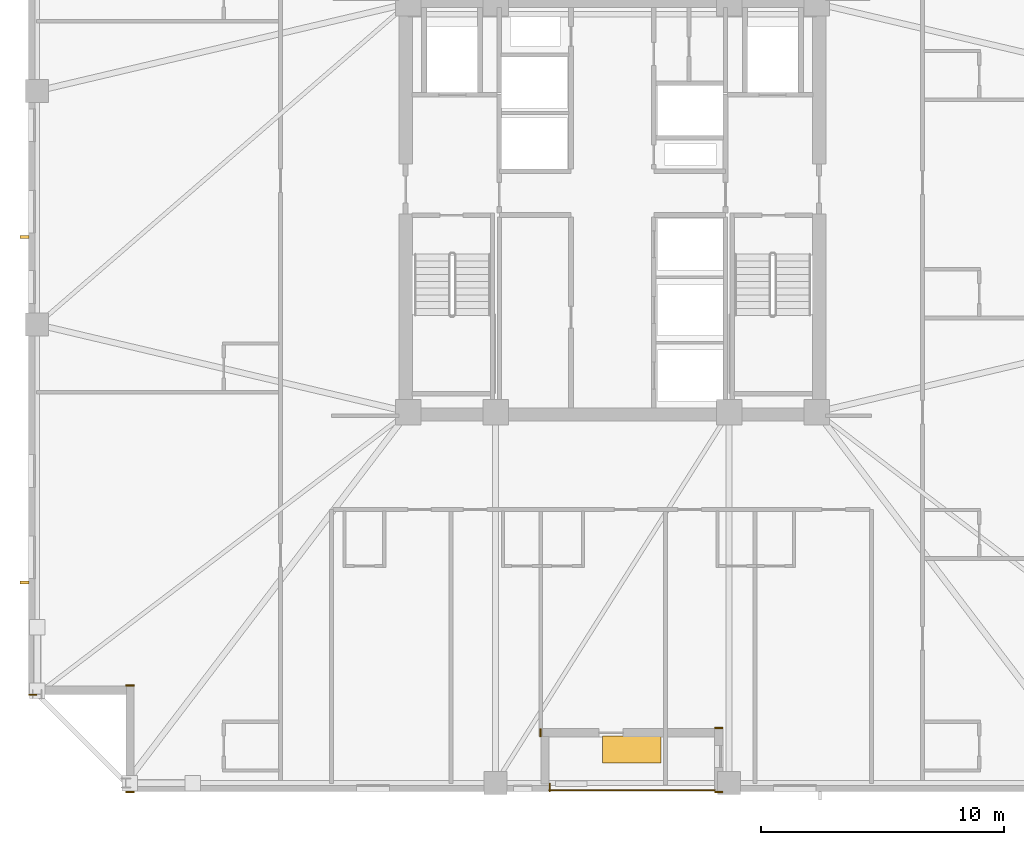
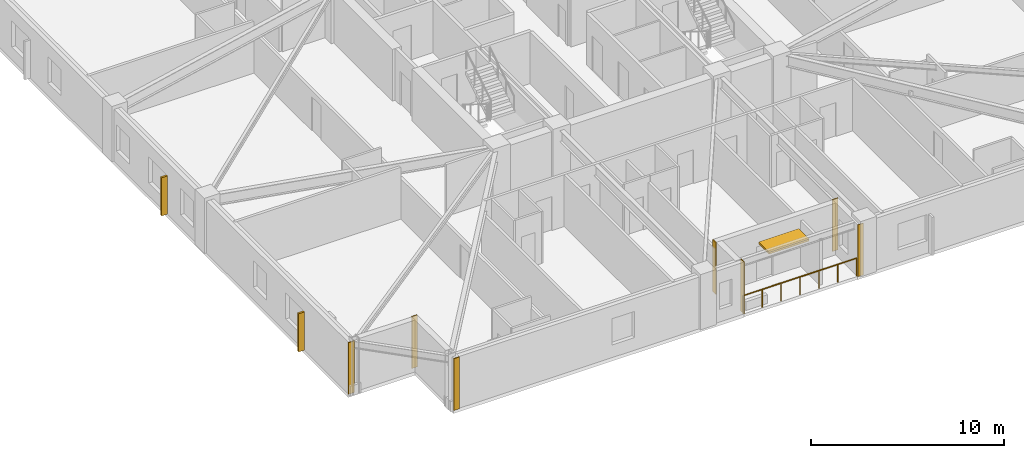
# One storey, part 7 of 11: 7 coverings, 3 shading devices, 1 railing.
"""IFC4 building model written with IfcOpenShell, lengths in metres."""

from ifc_helpers import new_model, si_unit, direction, frame, frame_2d, origin, origin_2d, place, context, subcontext, project, spatial, rectangle, circle, extrude, material, layer, layer_set, type_object, element, save


model = new_model("IFC4")

# Units and contexts
model_context = context("Model", 3, precision=1e-05, world=origin(), true_north=direction((0.0, 1.0)))
body_context = subcontext(model_context, "Body", "Model", "MODEL_VIEW")
ifc_project = project(units=[si_unit("LENGTHUNIT", "METRE"), si_unit("AREAUNIT", "SQUARE_METRE"), si_unit("VOLUMEUNIT", "CUBIC_METRE"), si_unit("PLANEANGLEUNIT", "RADIAN"), si_unit("MASSUNIT", "GRAM", prefix="KILO")], contexts=[model_context])

# Site, building, storey
site_placement = place(None, origin())
site = spatial("IfcSite", under=ifc_project, at=site_placement, CompositionType="ELEMENT")
building_placement = place(site_placement, origin())
building = spatial("IfcBuilding", under=site, at=building_placement, Name="Cairnveth Concourse Tower", CompositionType="ELEMENT")
storey_placement = place(building_placement, frame((0.0, 0.0, 158.5)))
storey = spatial("IfcBuildingStorey", under=building, at=storey_placement, Name="L43", CompositionType="ELEMENT", Elevation=158.5)

# Coverings
ifc_material_1 = material(Name="Dressed Melbourne Bluestone Cladding", Category="masonry")
ifc_layer = layer(ifc_material_1, 0.050048828125)
ifc_layer_set = layer_set([ifc_layer], Name="Dressed Melbourne Bluestone Cladding")
covering_type = type_object("IfcCoveringType", Name="DRESSED BLUESTONE PLINTH CLADDING 50", PredefinedType="CLADDING", material=ifc_layer_set)
for number, where, z_axis, x_axis, name in (
    (1, (49.419921875, 15.340087890625, 0.0), (0.0, 0.0, 1.0), (0.0, -1.0, 0.0), "Melbourne Bluestone Corner Quoin L43-627"),
    (2, (32.340087890625, 14.97998046875, 0.0), (0.0, 0.0, 1.0), (-1.0, 0.0, 0.0), "Melbourne Bluestone Corner Quoin L43-628"),
    (3, (32.340087890625, 19.360107421875, 0.0), (0.0, 0.0, 1.0), (-1.0, 0.0, 0.0), "Melbourne Bluestone Corner Quoin L43-629"),
    (4, (28.340087890625, 18.97998046875, 0.0), (0.0, 0.0, 1.0), (-1.0, 0.0, 0.0), "Melbourne Bluestone Corner Quoin L43-630"),
    (5, (56.5400390625, 14.97998046875, 0.0), (0.0, 0.0, 1.0), (-1.0, 0.0, 0.0), "Melbourne Bluestone Corner Quoin L43-640"),
    (6, (56.5400390625, 17.610107421875, 0.0), (0.0, 0.0, 1.0), (-1.0, 0.0, 0.0), "Melbourne Bluestone Corner Quoin L43-641"),
    (7, (49.0400390625, 17.590087890625, 0.0), (0.0, 0.0, 1.0), (0.0, -1.0, 0.0), "Melbourne Bluestone Corner Quoin L43-642"),
):
    element("IfcCovering", number, at=place(storey_placement, frame(where, z_axis=z_axis, x_axis=x_axis)), inside=storey, type_object=covering_type, Name=name, PredefinedType="CLADDING", context=body_context, shape_type="SweptSolid", body=[
        extrude(rectangle(XDim=0.340087890625, YDim=0.050048828125, at=frame_2d((0.169921875, 0.0))), origin(), (0.0, 0.0, 1.0), 3.280029296875),
    ])

# Shading devices
ifc_material_2 = material(Name="Architectural Bronze Anodised Aluminium 6063-T6", Category="aluminium")
shading_device_type_1 = type_object("IfcShadingDeviceType", Name="GOTHIC BRONZE VERTICAL LANCET FIN", PredefinedType="USERDEFINED", material=ifc_material_2)
for number, where, z_axis, x_axis, name in (
    (8, (27.824951171875, 23.591796875, 0.030029296875), (0.0, 0.0, 1.0), (0.0, 1.0, 0.0), "Gothic Bronze Vertical Fin L43-3-1"),
    (9, (27.824951171875, 37.805908203125, 0.030029296875), (0.0, 0.0, 1.0), (0.0, 1.0, 0.0), "Gothic Bronze Vertical Fin L43-3-5"),
):
    element("IfcShadingDevice", number, at=place(storey_placement, frame(where, z_axis=z_axis, x_axis=x_axis)), inside=storey, type_object=shading_device_type_1, Name=name, ObjectType="VERTICAL FIN", PredefinedType="USERDEFINED", context=body_context, shape_type="SweptSolid", body=[
        extrude(rectangle(XDim=0.1201171875, YDim=0.360107421875, at=origin_2d()), origin(), (0.0, 0.0, 1.0), 2.419921875),
    ])
shading_device_type_2 = type_object("IfcShadingDeviceType", Name="SPIRAL TERRACE SUNSHADE CANOPY", PredefinedType="USERDEFINED", material=ifc_material_2)
shading_device_placement = place(storey_placement, frame((52.800048828125, 16.72998046875, 2.300048828125), z_axis=(0.0, 0.0, 1.0), x_axis=(1.0, 0.0, 0.0)))
element("IfcShadingDevice", 10, at=shading_device_placement, inside=storey, type_object=shading_device_type_2, Name="Spiral Terrace Sunshade L43", ObjectType="TERRACE SUNSHADE", PredefinedType="USERDEFINED", context=body_context, shape_type="SweptSolid", body=[
    extrude(rectangle(XDim=2.39990234375, YDim=1.10009765625, at=origin_2d()), origin(), (0.0, 0.0, 1.0), 0.1201171875),
])

# Railing
railing_type = type_object("IfcRailingType", Name="TERRACE BRONZE BALUSTRADE 1150", PredefinedType="BALUSTRADE", material=ifc_material_2)
railing_placement = place(storey_placement, frame((49.39990234375, 15.06005859375, 0.0)))
element("IfcRailing", 11, at=railing_placement, inside=storey, type_object=railing_type, Name="Terrace Balustrade RL-L43-TERR", PredefinedType="BALUSTRADE", context=body_context, shape_type="SweptSolid", body=[
    extrude(circle(Radius=0.02490234375, at=origin_2d()), frame((0.0, 0.0, 1.125), z_axis=(1.0, 0.0, 0.0), x_axis=(0.0, 1.0, 0.0)), (0.0, 0.0, 1.0), 6.800048828125),
    extrude(circle(Radius=0.02099609375, at=origin_2d()), origin(), (0.0, 0.0, 1.0), 1.099853515625),
    extrude(circle(Radius=0.02099609375, at=origin_2d()), frame((1.13330078125, 0.0, 0.0)), (0.0, 0.0, 1.0), 1.099853515625),
    extrude(circle(Radius=0.02099609375, at=origin_2d()), frame((2.2666015625, 0.0, 0.0)), (0.0, 0.0, 1.0), 1.099853515625),
    extrude(circle(Radius=0.02099609375, at=origin_2d()), frame((3.39990234375, 0.0, 0.0)), (0.0, 0.0, 1.0), 1.099853515625),
    extrude(circle(Radius=0.02099609375, at=origin_2d()), frame((4.533447265625, 0.0, 0.0)), (0.0, 0.0, 1.0), 1.099853515625),
    extrude(circle(Radius=0.02099609375, at=origin_2d()), frame((5.666748046875, 0.0, 0.0)), (0.0, 0.0, 1.0), 1.099853515625),
    extrude(circle(Radius=0.02099609375, at=origin_2d()), frame((6.800048828125, 0.0, 0.0)), (0.0, 0.0, 1.0), 1.099853515625),
])

save(model, "model.ifc")
